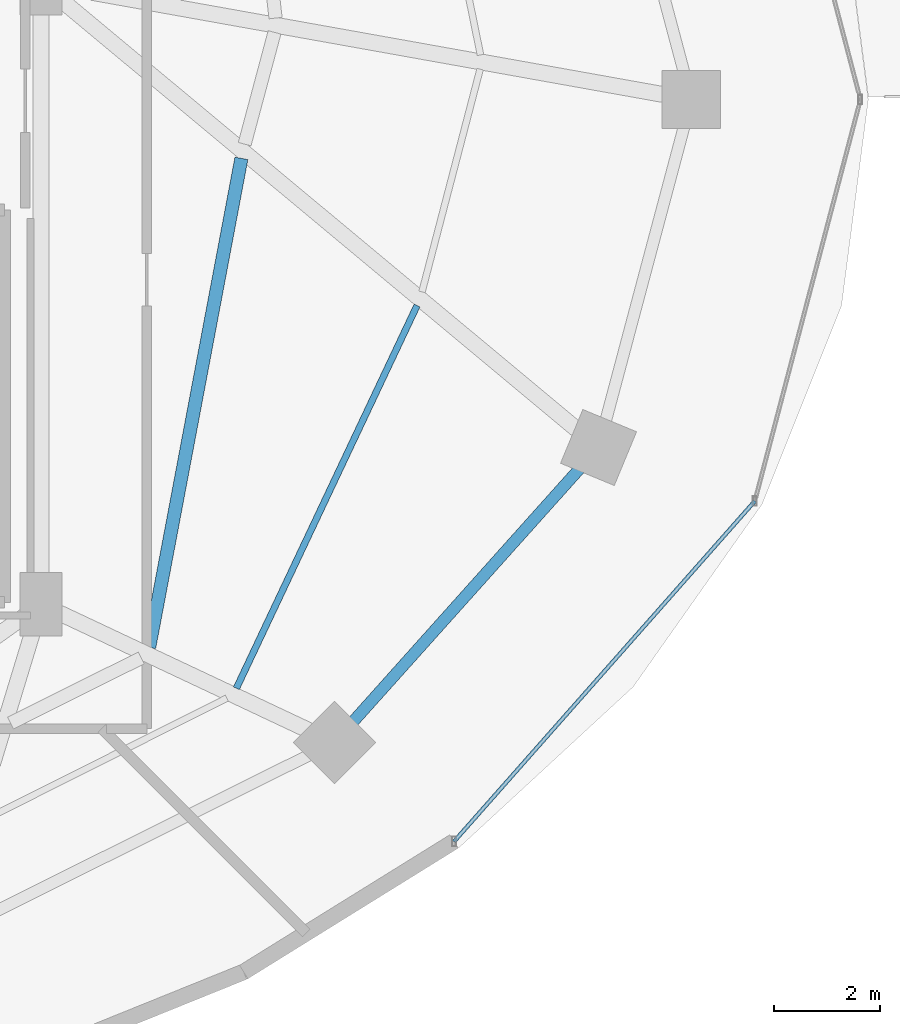
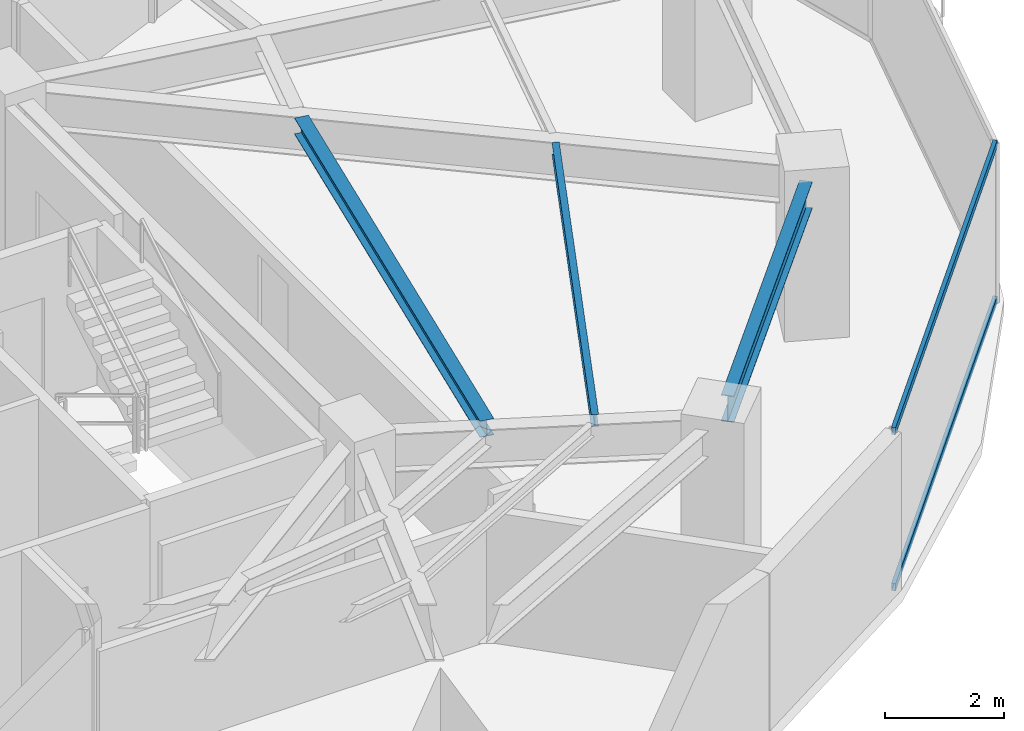
# One storey, part 13 of 30: 3 beams, 2 members, 1 element without a shape of its own.
"""IFC4 building model written with IfcOpenShell, lengths in metres."""

from ifc_helpers import new_model, si_unit, direction, frame, origin, origin_2d, place, context, subcontext, project, spatial, hollow_rectangle, i_section, extrude, material, material_profile, profile_set, type_object, element, aggregate, save


model = new_model("IFC4")

# Units and contexts
model_context = context("Model", 3, precision=1e-05, world=origin(), true_north=direction((0.0, 1.0)))
body_context = subcontext(model_context, "Body", "Model", "MODEL_VIEW")
ifc_project = project(units=[si_unit("LENGTHUNIT", "METRE"), si_unit("AREAUNIT", "SQUARE_METRE"), si_unit("VOLUMEUNIT", "CUBIC_METRE"), si_unit("PLANEANGLEUNIT", "RADIAN"), si_unit("MASSUNIT", "GRAM", prefix="KILO")], contexts=[model_context])

# Site, building, storey
site_placement = place(None, origin())
site = spatial("IfcSite", under=ifc_project, at=site_placement, CompositionType="ELEMENT")
building_placement = place(site_placement, origin())
building = spatial("IfcBuilding", under=site, at=building_placement, Name="Vorneva Point Tower", CompositionType="ELEMENT")
storey_placement = place(building_placement, frame((0.0, 0.0, 106.800048828125)))
storey = spatial("IfcBuildingStorey", under=building, at=storey_placement, Name="L28", CompositionType="ELEMENT", Elevation=106.800048828125)

# Beams
ifc_material_1 = material(Name="Steel S355", Category="steel")
ifc_material_profile_1 = material_profile(ifc_material_1, i_section(OverallWidth=0.1240234375, OverallDepth=0.248046875, WebThickness=0.0048828125, FlangeThickness=0.008056640625, at=origin_2d()), Name="25B1")
ifc_profile_set_1 = profile_set([ifc_material_profile_1], Name="Steel S355")
beam_type_1 = type_object("IfcBeamType", Name="BM-JST-25B1", PredefinedType="JOIST", material=ifc_profile_set_1)
beam_1_placement = place(storey_placement, frame((52.444580078125, 14.86328125, 3.115966796875), z_axis=(0.426826218091, 0.904333666049, 0.0), x_axis=(-0.904333666049, 0.426826218091, 0.0)))
element("IfcBeam", 1, at=beam_1_placement, inside=storey, type_object=beam_type_1, Name="L28 Secondary Floor Beam 1.15", PredefinedType="JOIST", context=body_context, shape_type="SweptSolid", body=[
    extrude(i_section(OverallWidth=0.1240234375, OverallDepth=0.248046875, WebThickness=0.0048828125, FlangeThickness=0.008056640625, at=origin_2d()), origin(), (0.0, 0.0, 1.0), 8.006103515625),
])
ifc_material_profile_2 = material_profile(ifc_material_1, i_section(OverallWidth=0.2490234375, OverallDepth=0.333984375, WebThickness=0.008056640625, FlangeThickness=0.010986328125, at=origin_2d()), Name="35Sh1")
ifc_profile_set_2 = profile_set([ifc_material_profile_2], Name="Steel S355")
beam_type_2 = type_object("IfcBeamType", Name="BM-SEC-35Sh1", PredefinedType="BEAM", material=ifc_profile_set_2)
beam_2_placement = place(storey_placement, frame((50.794921875, 15.635009765625, 3.072998046875), z_axis=(0.185268492404, 0.982687939136, 0.0), x_axis=(-0.982687939136, 0.185268492404, 0.0)))
element("IfcBeam", 2, at=beam_2_placement, inside=storey, type_object=beam_type_2, Name="L28 Secondary Floor Beam 2.15", PredefinedType="BEAM", context=body_context, shape_type="SweptSolid", body=[
    extrude(i_section(OverallWidth=0.2490234375, OverallDepth=0.333984375, WebThickness=0.008056640625, FlangeThickness=0.010986328125, at=origin_2d()), origin(), (0.0, 0.0, 1.0), 9.41552734375),
])
ifc_material_profile_3 = material_profile(ifc_material_1, i_section(OverallWidth=0.219970703125, OverallDepth=0.54296875, WebThickness=0.009521484375, FlangeThickness=0.013427734375, at=origin_2d()), Name="55B1")
ifc_profile_set_3 = profile_set([ifc_material_profile_3], Name="Steel S355")
beam_type_3 = type_object("IfcBeamType", Name="BM-SPN-55B1", PredefinedType="SPANDREL", material=ifc_profile_set_3)
beam_3_placement = place(storey_placement, frame((54.65576171875, 14.236328125, 2.968505859375), z_axis=(0.667073815664, 0.744991627105, 0.0), x_axis=(-0.744991627105, 0.667073815664, 0.0)))
element("IfcBeam", 3, at=beam_3_placement, inside=storey, type_object=beam_type_3, Name="L28 Perimeter Spandrel Ring Beam 15", PredefinedType="SPANDREL", context=body_context, shape_type="SweptSolid", body=[
    extrude(i_section(OverallWidth=0.219970703125, OverallDepth=0.54296875, WebThickness=0.009521484375, FlangeThickness=0.013427734375, at=origin_2d()), origin(), (0.0, 0.0, 1.0), 6.420166015625),
])

# Curtain wall, members
ifc_material_2 = material(Name="Pale anodised aluminium", Category="aluminium")
curtain_wall_type = type_object("IfcCurtainWallType", Name="CW-HTL-SYS", PredefinedType="NOTDEFINED", material=ifc_material_2)
curtain_wall_placement = place(storey_placement, origin())
curtain_wall = element("IfcCurtainWall", 4, at=curtain_wall_placement, inside=storey, type_object=curtain_wall_type, Name="L28 Unitised Curtain Wall CW-L28-R01", PredefinedType="NOTDEFINED")
ifc_material_profile_4 = material_profile(ifc_material_2, hollow_rectangle(XDim=0.074951171875, YDim=0.14990234375, WallThickness=0.00390625, at=origin_2d()), Name="AL-TRN 150x75x4")
ifc_profile_set_4 = profile_set([ifc_material_profile_4], Name="Pale anodised aluminium")
member_type = type_object("IfcMemberType", Name="CW-TRN-150", PredefinedType="USERDEFINED", material=ifc_profile_set_4)
member_1_placement = place(storey_placement, frame((56.5615234375, 11.9638671875, 0.02001953125), z_axis=(0.662137326257, 0.74938251993, 0.0), x_axis=(-0.74938251993, 0.662137326257, 0.0)))
member_1 = element("IfcMember", 5, at=member_1_placement, type_object=member_type, Name="CW-L28-R01 Transom 01.1", ObjectType="TRANSOM", PredefinedType="USERDEFINED", context=body_context, shape_type="SweptSolid", body=[
    extrude(hollow_rectangle(XDim=0.074951171875, YDim=0.14990234375, WallThickness=0.00390625, at=origin_2d()), origin(), (0.0, 0.0, 1.0), 8.59375),
])
member_2_placement = place(storey_placement, frame((56.5615234375, 11.9638671875, 3.219970703125), z_axis=(0.662137326257, 0.74938251993, 0.0), x_axis=(-0.74938251993, 0.662137326257, 0.0)))
member_2 = element("IfcMember", 6, at=member_2_placement, type_object=member_type, Name="CW-L28-R01 Transom 01.2", ObjectType="TRANSOM", PredefinedType="USERDEFINED", context=body_context, shape_type="SweptSolid", body=[
    extrude(hollow_rectangle(XDim=0.074951171875, YDim=0.14990234375, WallThickness=0.00390625, at=origin_2d()), origin(), (0.0, 0.0, 1.0), 8.59375),
])
aggregate(curtain_wall, [member_1, member_2])

save(model, "model.ifc")
